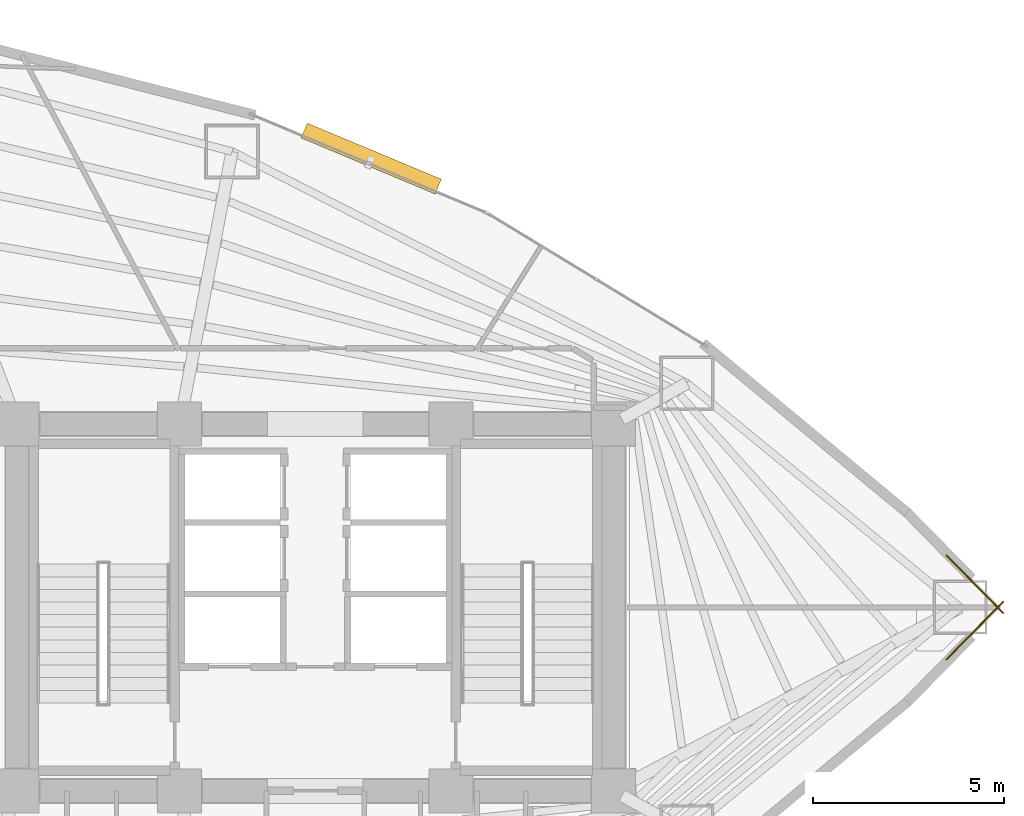
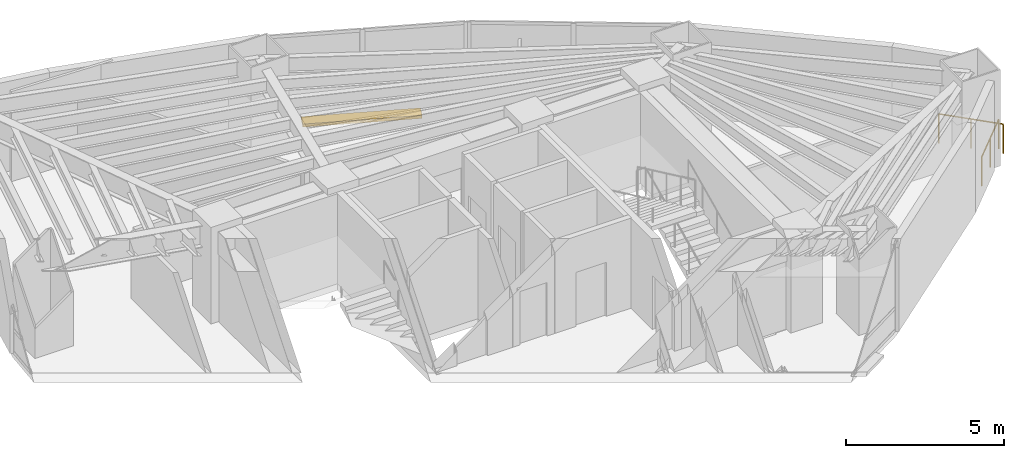
# One storey, part 18 of 18: 2 railings, 1 shading device.
"""IFC4 building model written with IfcOpenShell, lengths in metres."""

import ifcopenshell
import ifcopenshell.guid

model = None  # the IFC model being written
_history = None  # IfcOwnerHistory: only IFC2X3 demands one
_inside = {}  # id of a spatial element -> (the spatial element, [elements in it])
_under = {}  # id of a project, library or spatial element -> (it, [spatial elements below it])
_declared = {}  # id of a project -> (the project, [libraries it declares])
_typed = {}  # id of a type object -> (the type object, [elements of that type])
_made_of = {}  # id of a material, layer set ... -> (it, [elements and type objects made of it])


def new_model(schema):
    """Start an empty IFC model of exactly this schema.

    Asked for "IFC4X3", IfcOpenShell would pick the latest addendum, in which some entities
    have other attributes; the version numbers below select the first issue.
    IFC2X3 requires an IfcOwnerHistory on every rooted entity: one is made here for all.
    """
    global model, _history
    if schema == "IFC4X3":
        model = ifcopenshell.file(schema_version=(4, 3, 0, 0))
    else:
        model = ifcopenshell.file(schema=schema)
    _inside.clear()
    _under.clear()
    _declared.clear()
    _typed.clear()
    _made_of.clear()
    _history = None
    if model.schema == "IFC2X3":
        org = make("IfcOrganization", Name="unknown")
        user = make(
            "IfcPersonAndOrganization",
            ThePerson=make("IfcPerson", FamilyName="unknown"),
            TheOrganization=org,
        )
        app = make(
            "IfcApplication",
            ApplicationDeveloper=org,
            Version="unknown",
            ApplicationFullName="unknown",
            ApplicationIdentifier="unknown",
        )
        _history = make(
            "IfcOwnerHistory",
            OwningUser=user,
            OwningApplication=app,
            ChangeAction="ADDED",
            CreationDate=0,
        )
    return model


def make(cls, **values):
    """One entity of the class cls with the attributes given. An attribute that is None is left unset."""
    return model.create_entity(
        cls, **{name: value for name, value in values.items() if value is not None}
    )


def rooted(cls, **values):
    """An entity with a GlobalId (a new one), such as an element, a storey or a relation."""
    return make(cls, GlobalId=ifcopenshell.guid.new(), OwnerHistory=_history, **values)


def si_unit(unit_type, name, prefix=None):
    """IfcSIUnit, for example si_unit("LENGTHUNIT", "METRE", prefix="MILLI")."""
    return make("IfcSIUnit", UnitType=unit_type, Prefix=prefix, Name=name)


def assignment(units):
    """IfcUnitAssignment: the units of a project."""
    return None if units is None else make("IfcUnitAssignment", Units=units)


def point(xyz):
    """IfcCartesianPoint."""
    return None if xyz is None else make("IfcCartesianPoint", Coordinates=xyz)


def direction(xyz):
    """IfcDirection."""
    return None if xyz is None else make("IfcDirection", DirectionRatios=xyz)


def frame(location, z_axis=None, x_axis=None):
    """IfcAxis2Placement3D, a coordinate frame: its origin and axes. An axis left out is left unset."""
    return make(
        "IfcAxis2Placement3D",
        Location=point(location),
        Axis=direction(z_axis),
        RefDirection=direction(x_axis),
    )


def frame_2d(location, x_axis=None):
    """IfcAxis2Placement2D, a coordinate frame in the plane: its origin and x axis."""
    return make(
        "IfcAxis2Placement2D", Location=point(location), RefDirection=direction(x_axis)
    )


def origin():
    """The frame at (0, 0, 0) with its axes left unset."""
    return frame((0.0, 0.0, 0.0))


def origin_2d():
    """The frame at (0, 0) in the plane with its x axis left unset."""
    return frame_2d((0.0, 0.0))


def place(relative_to, where):
    """IfcLocalPlacement: puts the frame where relative to a parent placement (None: the world)."""
    return make(
        "IfcLocalPlacement", PlacementRelTo=relative_to, RelativePlacement=where
    )


def context(
    kind, dimensions, precision=None, world=None, true_north=None, identifier=None
):
    """IfcGeometricRepresentationContext, for example the 3D "Model" context."""
    return make(
        "IfcGeometricRepresentationContext",
        ContextIdentifier=identifier,
        ContextType=kind,
        CoordinateSpaceDimension=dimensions,
        Precision=precision,
        WorldCoordinateSystem=world,
        TrueNorth=true_north,
    )


def subcontext(parent, identifier, kind, view, scale=None):
    """IfcGeometricRepresentationSubContext, for example "Body" below "Model"."""
    return make(
        "IfcGeometricRepresentationSubContext",
        ContextIdentifier=identifier,
        ContextType=kind,
        ParentContext=parent,
        TargetScale=scale,
        TargetView=view,
    )


def project(units=None, contexts=None):
    """IfcProject with its units and contexts."""
    return rooted(
        "IfcProject",
        Name="project",
        RepresentationContexts=contexts,
        UnitsInContext=assignment(units),
    )


def spatial(cls, under=None, at=None, **own):
    """A site, building, storey or space (cls), placed at a placement, below another one or the project."""
    s = rooted(cls, ObjectPlacement=at, **own)
    if under is not None:
        _under.setdefault(under.id(), (under, []))[1].append(s)
    return s


def profile(cls, at=None, kind="AREA", **sizes):
    """A parametric profile (cls). Its sizes go by their IFC names, for example OverallWidth=200.0."""
    return make(cls, ProfileType=kind, Position=at, **sizes)


def rectangle(**sizes):
    """IfcRectangleProfileDef."""
    return profile("IfcRectangleProfileDef", **sizes)


def circle(**sizes):
    """IfcCircleProfileDef."""
    return profile("IfcCircleProfileDef", **sizes)


def extrude(swept, where, along, depth):
    """IfcExtrudedAreaSolid: the profile swept, set in the frame where, extruded along a direction by depth."""
    return make(
        "IfcExtrudedAreaSolid",
        SweptArea=swept,
        Position=where,
        ExtrudedDirection=direction(along),
        Depth=depth,
    )


def shape(context_of_items, identifier, shape_type, items):
    """IfcShapeRepresentation: the items that make up one representation, for example the "Body"."""
    return make(
        "IfcShapeRepresentation",
        ContextOfItems=context_of_items,
        RepresentationIdentifier=identifier,
        RepresentationType=shape_type,
        Items=items,
    )


def material(Name=None, Category=None):
    """IfcMaterial."""
    return make("IfcMaterial", Name=Name, Category=Category)


def layer(
    of_material, thickness, ventilated=None, Name=None, Category=None, Priority=None
):
    """IfcMaterialLayer: one layer of a wall or slab, of a material (None: an air gap)."""
    return make(
        "IfcMaterialLayer",
        Material=of_material,
        LayerThickness=thickness,
        IsVentilated=ventilated,
        Name=Name,
        Category=Category,
        Priority=Priority,
    )


def layer_set(layers, Name=None):
    """IfcMaterialLayerSet."""
    return make("IfcMaterialLayerSet", MaterialLayers=layers, LayerSetName=Name)


def made_of(thing, what):
    """Note that an element or type object is made of a material, layer set ...; save() writes the relation."""
    if what is not None:
        _made_of.setdefault(what.id(), (what, []))[1].append(thing)
    return thing


def type_object(cls, material=None, **own):
    """A type object (cls), such as IfcWallType, which elements share."""
    return made_of(rooted(cls, **own), material)


def element(
    cls,
    number,
    at=None,
    inside=None,
    cuts=None,
    type_object=None,
    material=None,
    context=None,
    identifier="Body",
    shape_type=None,
    held_by="IfcProductDefinitionShape",
    body=None,
    shapes=None,
    **own,
):
    """One element of the class cls, such as IfcWall. Its Tag is "e" and its number.

    at: its placement. inside: the storey or other place that contains it. cuts: it is an
    opening in that element (IfcRelVoidsElement). A single representation is given by context,
    identifier, shape_type and body (its items); several are given by shapes. held_by: the class
    of the entity that holds the representations. save() writes the other relations.
    """
    e = rooted(cls, Tag="e%d" % number, ObjectPlacement=at, **own)
    if body is not None:
        shapes = [shape(context, identifier, shape_type, body)]
    if shapes is not None:
        e.Representation = make(held_by, Representations=shapes)
    if inside is not None:
        _inside.setdefault(inside.id(), (inside, []))[1].append(e)
    if cuts is not None:
        rooted(
            "IfcRelVoidsElement", RelatingBuildingElement=cuts, RelatedOpeningElement=e
        )
    if type_object is not None:
        _typed.setdefault(type_object.id(), (type_object, []))[1].append(e)
    return made_of(e, material)


def aggregate(whole, parts):
    """IfcRelAggregates: a whole, such as a stair, and the parts it consists of."""
    return rooted("IfcRelAggregates", RelatingObject=whole, RelatedObjects=parts)


def save(model, path):
    """Write the relations noted so far, then the file.

    IfcRelAggregates (storeys below a building ...), IfcRelContainedInSpatialStructure (elements
    in a storey), IfcRelDefinesByType, IfcRelAssociatesMaterial and IfcRelDeclares: one each for
    every whole, place, type object, material and project.
    """
    for whole, parts in _under.values():
        aggregate(whole, parts)
    for where, things in _inside.values():
        rooted(
            "IfcRelContainedInSpatialStructure",
            RelatedElements=things,
            RelatingStructure=where,
        )
    for kind, things in _typed.values():
        rooted("IfcRelDefinesByType", RelatedObjects=things, RelatingType=kind)
    for what, things in _made_of.values():
        rooted("IfcRelAssociatesMaterial", RelatedObjects=things, RelatingMaterial=what)
    for by, libraries in _declared.values():
        rooted("IfcRelDeclares", RelatingContext=by, RelatedDefinitions=libraries)
    model.write(path)


model = new_model("IFC4")

# Units and contexts
model_context = context("Model", 3, precision=1e-05, world=origin(), true_north=direction((0.0, 1.0)))
body_context = subcontext(model_context, "Body", "Model", "MODEL_VIEW")
ifc_project = project(units=[si_unit("LENGTHUNIT", "METRE"), si_unit("AREAUNIT", "SQUARE_METRE"), si_unit("VOLUMEUNIT", "CUBIC_METRE"), si_unit("PLANEANGLEUNIT", "RADIAN"), si_unit("MASSUNIT", "GRAM", prefix="KILO")], contexts=[model_context])

# Site, building, storey
site_placement = place(None, origin())
site = spatial("IfcSite", under=ifc_project, at=site_placement, CompositionType="ELEMENT")
building_placement = place(site_placement, origin())
building = spatial("IfcBuilding", under=site, at=building_placement, Name="Menara Vayukalpa", CompositionType="ELEMENT")
storey_placement = place(building_placement, frame((0.0, 0.0, 35.0400390625)))
storey = spatial("IfcBuildingStorey", under=building, at=storey_placement, Name="L07", CompositionType="ELEMENT", Elevation=35.0400390625)

# Railings
ifc_material_1 = material(Name="Laminated Glass and Stainless Steel 316 Guardrail", Category="steel")
railing_type = type_object("IfcRailingType", Name="RLG-EXT115", PredefinedType="GUARDRAIL", material=ifc_material_1)
railing_1_placement = place(storey_placement, frame((42.10888671875, 20.6396484375, 0.0)))
element("IfcRailing", 1, at=railing_1_placement, inside=storey, type_object=railing_type, Name="L07 Column Corner Spandrel Guardrail 01-1", PredefinedType="GUARDRAIL", context=body_context, shape_type="SweptSolid", body=[
    extrude(circle(Radius=0.02392578125, at=origin_2d()), frame((0.0, 0.0, 1.1259765625), z_axis=(0.700673401428, 0.713482154319, 0.0), x_axis=(-0.713482154319, 0.700673401428, 0.0)), (0.0, 0.0, 1.0), 2.11572265625),
    extrude(circle(Radius=0.02099609375, at=origin_2d()), origin(), (0.0, 0.0, 1.0), 1.101806640625),
    extrude(circle(Radius=0.02099609375, at=origin_2d()), frame((0.7412109375, 0.7548828125, 0.0)), (0.0, 0.0, 1.0), 1.101806640625),
    extrude(circle(Radius=0.02099609375, at=origin_2d()), frame((1.482421875, 1.509521484375, 0.0)), (0.0, 0.0, 1.0), 1.101806640625),
])
railing_2_placement = place(storey_placement, frame((43.59130859375, 21.850830078125, 0.0)))
element("IfcRailing", 2, at=railing_2_placement, inside=storey, type_object=railing_type, Name="L07 Column Corner Spandrel Guardrail 02-1", PredefinedType="GUARDRAIL", context=body_context, shape_type="SweptSolid", body=[
    extrude(circle(Radius=0.02392578125, at=origin_2d()), frame((0.0, 0.0, 1.1259765625), z_axis=(-0.700673401428, 0.713482154319, 0.0), x_axis=(-0.713482154319, -0.700673401428, 0.0)), (0.0, 0.0, 1.0), 2.11572265625),
    extrude(circle(Radius=0.02099609375, at=origin_2d()), origin(), (0.0, 0.0, 1.0), 1.101806640625),
    extrude(circle(Radius=0.02099609375, at=origin_2d()), frame((-0.7412109375, 0.7548828125, 0.0)), (0.0, 0.0, 1.0), 1.101806640625),
    extrude(circle(Radius=0.02099609375, at=origin_2d()), frame((-1.482421875, 1.509521484375, 0.0)), (0.0, 0.0, 1.0), 1.101806640625),
])

# Shading device
ifc_material_2 = material(Name="Glazed Terracotta Ceramic Baguette Extrusion", Category="masonry")
ifc_layer = layer(ifc_material_2, 0.1201171875)
ifc_layer_set = layer_set([ifc_layer], Name="Glazed Terracotta Ceramic Baguette Extrusion")
shading_device_type = type_object("IfcShadingDeviceType", Name="SHD-SS1", PredefinedType="USERDEFINED", material=ifc_layer_set)
shading_device_placement = place(storey_placement, frame((27.060791015625, 33.740478515625, -0.10009765625), z_axis=(0.0, 0.0, 1.0), x_axis=(-0.922544824647, 0.385889940938, 0.0)))
element("IfcShadingDevice", 3, at=shading_device_placement, inside=storey, type_object=shading_device_type, Name="L07 Horizontal Terracotta Sunshade Band 05", ObjectType="SUNSHADE", PredefinedType="USERDEFINED", context=body_context, shape_type="SweptSolid", body=[
    extrude(rectangle(XDim=3.800048828125, YDim=0.419921875, at=origin_2d()), origin(), (0.0, 0.0, 1.0), 0.1201171875),
])

save(model, "model.ifc")
